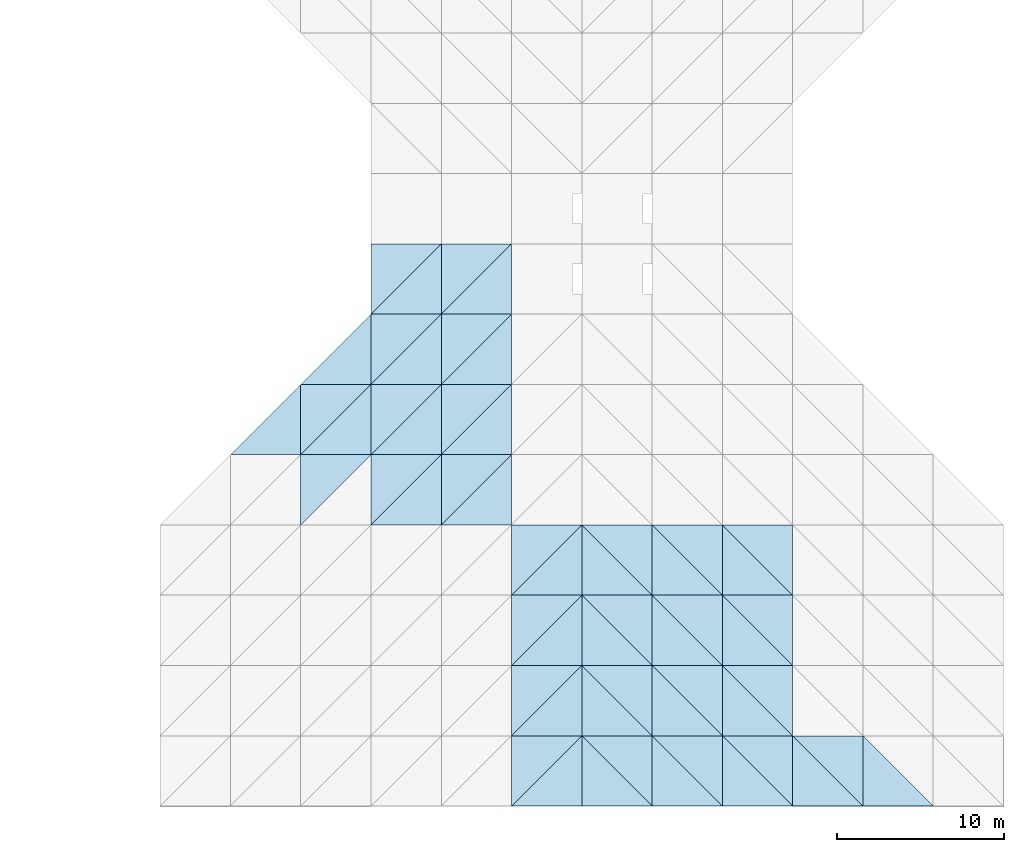
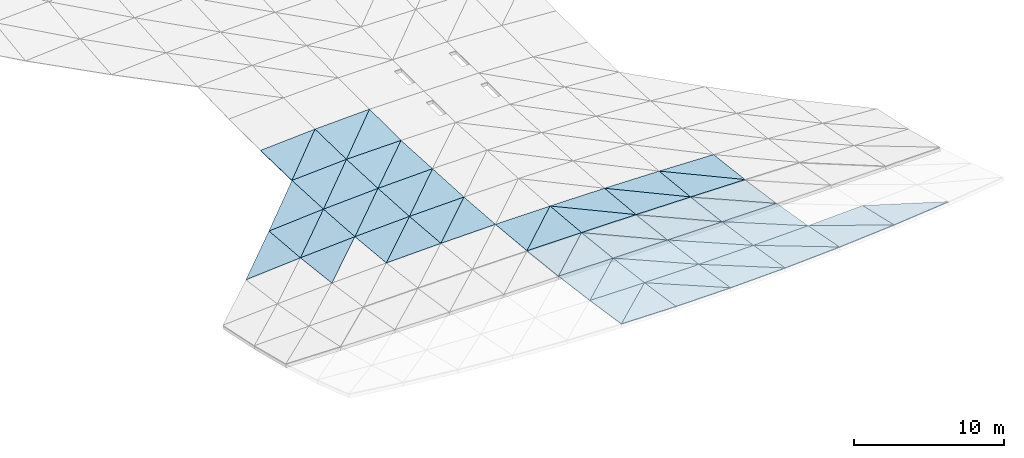
# One storey, part 45 of 64: 56 roofs.
"""IFC4 building model written with IfcOpenShell, lengths in metres."""

import ifcopenshell
import ifcopenshell.guid

model = None  # the IFC model being written
_history = None  # IfcOwnerHistory: only IFC2X3 demands one
_inside = {}  # id of a spatial element -> (the spatial element, [elements in it])
_under = {}  # id of a project, library or spatial element -> (it, [spatial elements below it])
_declared = {}  # id of a project -> (the project, [libraries it declares])
_typed = {}  # id of a type object -> (the type object, [elements of that type])
_made_of = {}  # id of a material, layer set ... -> (it, [elements and type objects made of it])


def new_model(schema):
    """Start an empty IFC model of exactly this schema.

    Asked for "IFC4X3", IfcOpenShell would pick the latest addendum, in which some entities
    have other attributes; the version numbers below select the first issue.
    IFC2X3 requires an IfcOwnerHistory on every rooted entity: one is made here for all.
    """
    global model, _history
    if schema == "IFC4X3":
        model = ifcopenshell.file(schema_version=(4, 3, 0, 0))
    else:
        model = ifcopenshell.file(schema=schema)
    _inside.clear()
    _under.clear()
    _declared.clear()
    _typed.clear()
    _made_of.clear()
    _history = None
    if model.schema == "IFC2X3":
        org = make("IfcOrganization", Name="unknown")
        user = make(
            "IfcPersonAndOrganization",
            ThePerson=make("IfcPerson", FamilyName="unknown"),
            TheOrganization=org,
        )
        app = make(
            "IfcApplication",
            ApplicationDeveloper=org,
            Version="unknown",
            ApplicationFullName="unknown",
            ApplicationIdentifier="unknown",
        )
        _history = make(
            "IfcOwnerHistory",
            OwningUser=user,
            OwningApplication=app,
            ChangeAction="ADDED",
            CreationDate=0,
        )
    return model


def make(cls, **values):
    """One entity of the class cls with the attributes given. An attribute that is None is left unset."""
    return model.create_entity(
        cls, **{name: value for name, value in values.items() if value is not None}
    )


def rooted(cls, **values):
    """An entity with a GlobalId (a new one), such as an element, a storey or a relation."""
    return make(cls, GlobalId=ifcopenshell.guid.new(), OwnerHistory=_history, **values)


def si_unit(unit_type, name, prefix=None):
    """IfcSIUnit, for example si_unit("LENGTHUNIT", "METRE", prefix="MILLI")."""
    return make("IfcSIUnit", UnitType=unit_type, Prefix=prefix, Name=name)


def assignment(units):
    """IfcUnitAssignment: the units of a project."""
    return None if units is None else make("IfcUnitAssignment", Units=units)


def point(xyz):
    """IfcCartesianPoint."""
    return None if xyz is None else make("IfcCartesianPoint", Coordinates=xyz)


def direction(xyz):
    """IfcDirection."""
    return None if xyz is None else make("IfcDirection", DirectionRatios=xyz)


def frame(location, z_axis=None, x_axis=None):
    """IfcAxis2Placement3D, a coordinate frame: its origin and axes. An axis left out is left unset."""
    return make(
        "IfcAxis2Placement3D",
        Location=point(location),
        Axis=direction(z_axis),
        RefDirection=direction(x_axis),
    )


def origin():
    """The frame at (0, 0, 0) with its axes left unset."""
    return frame((0.0, 0.0, 0.0))


def place(relative_to, where):
    """IfcLocalPlacement: puts the frame where relative to a parent placement (None: the world)."""
    return make(
        "IfcLocalPlacement", PlacementRelTo=relative_to, RelativePlacement=where
    )


def context(
    kind, dimensions, precision=None, world=None, true_north=None, identifier=None
):
    """IfcGeometricRepresentationContext, for example the 3D "Model" context."""
    return make(
        "IfcGeometricRepresentationContext",
        ContextIdentifier=identifier,
        ContextType=kind,
        CoordinateSpaceDimension=dimensions,
        Precision=precision,
        WorldCoordinateSystem=world,
        TrueNorth=true_north,
    )


def subcontext(parent, identifier, kind, view, scale=None):
    """IfcGeometricRepresentationSubContext, for example "Body" below "Model"."""
    return make(
        "IfcGeometricRepresentationSubContext",
        ContextIdentifier=identifier,
        ContextType=kind,
        ParentContext=parent,
        TargetScale=scale,
        TargetView=view,
    )


def project(units=None, contexts=None):
    """IfcProject with its units and contexts."""
    return rooted(
        "IfcProject",
        Name="project",
        RepresentationContexts=contexts,
        UnitsInContext=assignment(units),
    )


def spatial(cls, under=None, at=None, **own):
    """A site, building, storey or space (cls), placed at a placement, below another one or the project."""
    s = rooted(cls, ObjectPlacement=at, **own)
    if under is not None:
        _under.setdefault(under.id(), (under, []))[1].append(s)
    return s


def polyline(points):
    """IfcPolyline through the points."""
    return make("IfcPolyline", Points=[point(p) for p in points])


def outline(outer, holes=None, kind="AREA"):
    """IfcArbitraryClosedProfileDef: a profile drawn as a closed curve; with holes, ...WithVoids."""
    if holes is None:
        return make("IfcArbitraryClosedProfileDef", ProfileType=kind, OuterCurve=outer)
    return make(
        "IfcArbitraryProfileDefWithVoids",
        ProfileType=kind,
        OuterCurve=outer,
        InnerCurves=holes,
    )


def extrude(swept, where, along, depth):
    """IfcExtrudedAreaSolid: the profile swept, set in the frame where, extruded along a direction by depth."""
    return make(
        "IfcExtrudedAreaSolid",
        SweptArea=swept,
        Position=where,
        ExtrudedDirection=direction(along),
        Depth=depth,
    )


def shape(context_of_items, identifier, shape_type, items):
    """IfcShapeRepresentation: the items that make up one representation, for example the "Body"."""
    return make(
        "IfcShapeRepresentation",
        ContextOfItems=context_of_items,
        RepresentationIdentifier=identifier,
        RepresentationType=shape_type,
        Items=items,
    )


def material(Name=None, Category=None):
    """IfcMaterial."""
    return make("IfcMaterial", Name=Name, Category=Category)


def layer(
    of_material, thickness, ventilated=None, Name=None, Category=None, Priority=None
):
    """IfcMaterialLayer: one layer of a wall or slab, of a material (None: an air gap)."""
    return make(
        "IfcMaterialLayer",
        Material=of_material,
        LayerThickness=thickness,
        IsVentilated=ventilated,
        Name=Name,
        Category=Category,
        Priority=Priority,
    )


def layer_set(layers, Name=None):
    """IfcMaterialLayerSet."""
    return make("IfcMaterialLayerSet", MaterialLayers=layers, LayerSetName=Name)


def made_of(thing, what):
    """Note that an element or type object is made of a material, layer set ...; save() writes the relation."""
    if what is not None:
        _made_of.setdefault(what.id(), (what, []))[1].append(thing)
    return thing


def type_object(cls, material=None, **own):
    """A type object (cls), such as IfcWallType, which elements share."""
    return made_of(rooted(cls, **own), material)


def element(
    cls,
    number,
    at=None,
    inside=None,
    cuts=None,
    type_object=None,
    material=None,
    context=None,
    identifier="Body",
    shape_type=None,
    held_by="IfcProductDefinitionShape",
    body=None,
    shapes=None,
    **own,
):
    """One element of the class cls, such as IfcWall. Its Tag is "e" and its number.

    at: its placement. inside: the storey or other place that contains it. cuts: it is an
    opening in that element (IfcRelVoidsElement). A single representation is given by context,
    identifier, shape_type and body (its items); several are given by shapes. held_by: the class
    of the entity that holds the representations. save() writes the other relations.
    """
    e = rooted(cls, Tag="e%d" % number, ObjectPlacement=at, **own)
    if body is not None:
        shapes = [shape(context, identifier, shape_type, body)]
    if shapes is not None:
        e.Representation = make(held_by, Representations=shapes)
    if inside is not None:
        _inside.setdefault(inside.id(), (inside, []))[1].append(e)
    if cuts is not None:
        rooted(
            "IfcRelVoidsElement", RelatingBuildingElement=cuts, RelatedOpeningElement=e
        )
    if type_object is not None:
        _typed.setdefault(type_object.id(), (type_object, []))[1].append(e)
    return made_of(e, material)


def aggregate(whole, parts):
    """IfcRelAggregates: a whole, such as a stair, and the parts it consists of."""
    return rooted("IfcRelAggregates", RelatingObject=whole, RelatedObjects=parts)


def save(model, path):
    """Write the relations noted so far, then the file.

    IfcRelAggregates (storeys below a building ...), IfcRelContainedInSpatialStructure (elements
    in a storey), IfcRelDefinesByType, IfcRelAssociatesMaterial and IfcRelDeclares: one each for
    every whole, place, type object, material and project.
    """
    for whole, parts in _under.values():
        aggregate(whole, parts)
    for where, things in _inside.values():
        rooted(
            "IfcRelContainedInSpatialStructure",
            RelatedElements=things,
            RelatingStructure=where,
        )
    for kind, things in _typed.values():
        rooted("IfcRelDefinesByType", RelatedObjects=things, RelatingType=kind)
    for what, things in _made_of.values():
        rooted("IfcRelAssociatesMaterial", RelatedObjects=things, RelatingMaterial=what)
    for by, libraries in _declared.values():
        rooted("IfcRelDeclares", RelatingContext=by, RelatedDefinitions=libraries)
    model.write(path)


model = new_model("IFC4")

# Units and contexts
model_context = context("Model", 3, precision=1e-05, world=origin(), true_north=direction((0.0, 1.0)))
body_context = subcontext(model_context, "Body", "Model", "MODEL_VIEW")
ifc_project = project(units=[si_unit("LENGTHUNIT", "METRE"), si_unit("AREAUNIT", "SQUARE_METRE"), si_unit("VOLUMEUNIT", "CUBIC_METRE"), si_unit("PLANEANGLEUNIT", "RADIAN"), si_unit("MASSUNIT", "GRAM", prefix="KILO")], contexts=[model_context])

# Site, building, storey
site_placement = place(None, origin())
site = spatial("IfcSite", under=ifc_project, at=site_placement, CompositionType="ELEMENT")
building_placement = place(site_placement, origin())
building = spatial("IfcBuilding", under=site, at=building_placement, Name="Cumbredor Promenade Congress Hotel", CompositionType="ELEMENT")
storey_placement = place(building_placement, frame((0.0, 0.0, 18.47998046875)))
storey = spatial("IfcBuildingStorey", under=building, at=storey_placement, Name="L05", CompositionType="ELEMENT", Elevation=18.47998046875)

# Roofs
ifc_material = material(Name="Standing-seam zinc-aluminium roofing", Category="aluminium")
ifc_layer = layer(ifc_material, 0.050048828125, Name="Standing-seam zinc-aluminium roofing", Category="aluminium")
ifc_layer_set = layer_set([ifc_layer], Name="Standing-seam zinc-aluminium roofing")
roof_type = type_object("IfcRoofType", Name="Sweeping Pavilion Standing-Seam Roof Skin 50mm", PredefinedType="FREEFORM", material=ifc_layer_set)
roof_1_placement = place(storey_placement, frame((142.800048828125, 21.0, -0.15087890625), z_axis=(-0.076276964271, 0.086439527263, 0.993332790583), x_axis=(0.997064704654, 0.0, 0.076563533968)))
element("IfcRoof", 1, at=roof_1_placement, inside=storey, type_object=roof_type, Name="Grand Ballroom Pavilion Standing-Seam Roof Skin 2.6.1", PredefinedType="FREEFORM", context=body_context, shape_type="SweptSolid", body=[
    extrude(outline(polyline([(0.0, 0.0), (4.212315562141288, 0.0), (4.184333235395741, 4.215730231040353), (0.0, 0.0)])), origin(), (0.0, 0.0, -1.0), 0.050048828125),
])
roof_2_placement = place(storey_placement, frame((147.0, 16.800048828125, 0.658935546875), z_axis=(-0.05919707046, 0.115050976279, 0.991594160787), x_axis=(0.706546575075, 0.706546575075, -0.039797920784)))
element("IfcRoof", 2, at=roof_2_placement, inside=storey, type_object=roof_type, Name="Grand Ballroom Pavilion Standing-Seam Roof Skin 3.5.2", PredefinedType="FREEFORM", context=body_context, shape_type="SweptSolid", body=[
    extrude(outline(polyline([(0.0, 0.0), (5.944337316230575, 1.4224732503009818e-16), (2.986854829322584, 2.9926165696837965), (0.0, 0.0)])), origin(), (0.0, 0.0, -1.0), 0.050048828125),
])
roof_3_placement = place(storey_placement, frame((147.0, 21.0, 0.171630859375), z_axis=(-0.059434651655, 0.072803107869, 0.995573819296), x_axis=(0.998222770352, 0.0, 0.059592791092)))
element("IfcRoof", 3, at=roof_3_placement, inside=storey, type_object=roof_type, Name="Grand Ballroom Pavilion Standing-Seam Roof Skin 3.6.1", PredefinedType="FREEFORM", context=body_context, shape_type="SweptSolid", body=[
    extrude(outline(polyline([(0.0, 0.0), (4.207428738970333, -3.469446951953614e-18), (4.18912607022193, 4.211126099216835), (0.0, 0.0)])), origin(), (0.0, 0.0, -1.0), 0.050048828125),
])
roof_4_placement = place(storey_placement, frame((147.0, 21.0, 0.171630859375), z_axis=(-0.073118508929, 0.086460037809, 0.9935684906), x_axis=(0.707074909046, 0.707074909046, -0.009494524443)))
element("IfcRoof", 4, at=roof_4_placement, inside=storey, type_object=roof_type, Name="Grand Ballroom Pavilion Standing-Seam Roof Skin 3.6.2", PredefinedType="FREEFORM", context=body_context, shape_type="SweptSolid", body=[
    extrude(outline(polyline([(0.0, 0.0), (5.939895643504037, 7.025630077706069e-17), (2.973150137552249, 2.9889032522132064), (0.0, 0.0)])), origin(), (0.0, 0.0, -1.0), 0.050048828125),
])
roof_5_placement = place(storey_placement, frame((147.0, 25.199951171875, -0.19384765625), z_axis=(-0.073306475585, 0.048639367687, 0.996122669428), x_axis=(0.997303071851, 0.0, 0.073393343543)))
element("IfcRoof", 5, at=roof_5_placement, inside=storey, type_object=roof_type, Name="Grand Ballroom Pavilion Standing-Seam Roof Skin 3.7.1", PredefinedType="FREEFORM", context=body_context, shape_type="SweptSolid", body=[
    extrude(outline(polyline([(0.0, 0.0), (4.211308769037935, 1.734723475976807e-18), (4.196257399756737, 4.204928101617252), (0.0, 0.0)])), origin(), (0.0, 0.0, -1.0), 0.050048828125),
])
roof_6_placement = place(storey_placement, frame((151.199951171875, 16.800048828125, 0.83203125), z_axis=(-0.029354527893, 0.084068588759, 0.996027501667), x_axis=(0.999565994989, 0.0, 0.029458812966)))
element("IfcRoof", 6, at=roof_6_placement, inside=storey, type_object=roof_type, Name="Grand Ballroom Pavilion Standing-Seam Roof Skin 4.5.1", PredefinedType="FREEFORM", context=body_context, shape_type="SweptSolid", body=[
    extrude(outline(polyline([(0.0, 0.0), (4.201774763176752, -1.734723475976807e-18), (4.191331844127171, 4.214871943793126), (0.0, 0.0)])), origin(), (0.0, 0.0, -1.0), 0.050048828125),
])
roof_7_placement = place(storey_placement, frame((151.199951171875, 16.800048828125, 0.83203125), z_axis=(-0.042369504616, 0.096993217934, 0.994382793874), x_axis=(0.706573950598, 0.706573950598, -0.038813717568)))
element("IfcRoof", 7, at=roof_7_placement, inside=storey, type_object=roof_type, Name="Grand Ballroom Pavilion Standing-Seam Roof Skin 4.5.2", PredefinedType="FREEFORM", context=body_context, shape_type="SweptSolid", body=[
    extrude(outline(polyline([(0.0, 0.0), (5.944107008640484, 6.38378239159465e-16), (2.9834768286678366, 2.984339743319458), (0.0, 0.0)])), origin(), (0.0, 0.0, -1.0), 0.050048828125),
])
roof_8_placement = place(storey_placement, frame((151.199951171875, 21.0, 0.42236328125), z_axis=(-0.042485490965, 0.063061683724, 0.997104912787), x_axis=(0.999093477233, 0.0, 0.042570221404)))
element("IfcRoof", 8, at=roof_8_placement, inside=storey, type_object=roof_type, Name="Grand Ballroom Pavilion Standing-Seam Roof Skin 4.6.1", PredefinedType="FREEFORM", context=body_context, shape_type="SweptSolid", body=[
    extrude(outline(polyline([(0.0, 0.0), (4.203761977814741, 0.0), (4.192454262754322, 4.2083272950590835), (0.0, 0.0)])), origin(), (0.0, 0.0, -1.0), 0.050048828125),
])
roof_9_placement = place(storey_placement, frame((151.199951171875, 21.0, 0.42236328125), z_axis=(-0.052279466529, 0.072832302208, 0.995973048398), x_axis=(0.707031514293, 0.707031514293, -0.014590256791)))
element("IfcRoof", 9, at=roof_9_placement, inside=storey, type_object=roof_type, Name="Grand Ballroom Pavilion Standing-Seam Roof Skin 4.6.2", PredefinedType="FREEFORM", context=body_context, shape_type="SweptSolid", body=[
    extrude(outline(polyline([(0.0, 0.0), (5.940260210430701, 2.0383000842727483e-16), (2.9739789266173466, 2.9815042101637967), (0.0, 0.0)])), origin(), (0.0, 0.0, -1.0), 0.050048828125),
])
roof_10_placement = place(storey_placement, frame((151.199951171875, 25.199951171875, 0.115234375), z_axis=(-0.052372191237, 0.042106545778, 0.997739541357), x_axis=(0.998625195951, 0.0, 0.052418679994)))
element("IfcRoof", 10, at=roof_10_placement, inside=storey, type_object=roof_type, Name="Grand Ballroom Pavilion Standing-Seam Roof Skin 4.7.1", PredefinedType="FREEFORM", context=body_context, shape_type="SweptSolid", body=[
    extrude(outline(polyline([(0.0, 0.0), (4.2057332309510365, 0.0), (4.1964422246824995, 4.203679305214223), (0.0, 0.0)])), origin(), (0.0, 0.0, -1.0), 0.050048828125),
])
roof_11_placement = place(storey_placement, frame((151.199951171875, 25.199951171875, 0.115234375), z_axis=(-0.058944578235, 0.048685787332, 0.997073332714), x_axis=(0.707088068079, 0.707088068079, 0.007275160614)))
element("IfcRoof", 11, at=roof_11_placement, inside=storey, type_object=roof_type, Name="Grand Ballroom Pavilion Standing-Seam Roof Skin 4.7.2", PredefinedType="FREEFORM", context=body_context, shape_type="SweptSolid", body=[
    extrude(outline(polyline([(0.0, 0.0), (5.93978510101035, 8.066464163292153e-17), (2.9682433838473403, 2.978452299053015), (0.0, 0.0)])), origin(), (0.0, 0.0, -1.0), 0.050048828125),
])
roof_12_placement = place(storey_placement, frame((151.199951171875, 29.39990234375, -0.08984375), z_axis=(-0.059001546476, 0.021000313015, 0.998036975451), x_axis=(0.998257121983, 0.0, 0.05901456101)))
element("IfcRoof", 12, at=roof_12_placement, inside=storey, type_object=roof_type, Name="Grand Ballroom Pavilion Standing-Seam Roof Skin 4.8.1", PredefinedType="FREEFORM", context=body_context, shape_type="SweptSolid", body=[
    extrude(outline(polyline([(0.0, 0.0), (4.20728395459283, -8.673617379884035e-19), (4.2020683122379365, 4.201121789628544), (0.0, 0.0)])), origin(), (0.0, 0.0, -1.0), 0.050048828125),
])
roof_13_placement = place(storey_placement, frame((151.199951171875, 29.39990234375, -0.08984375), z_axis=(-0.06229125977, 0.024300298652, 0.997762143219), x_axis=(0.706830120334, 0.706871207942, 0.026912383237)))
element("IfcRoof", 13, at=roof_13_placement, inside=storey, type_object=roof_type, Name="Grand Ballroom Pavilion Standing-Seam Roof Skin 4.8.2", PredefinedType="FREEFORM", context=body_context, shape_type="SweptSolid", body=[
    extrude(outline(polyline([(0.0, 0.0), (5.941952742323514, 7.979727989493313e-17), (2.966244133998192, 2.9754832635573174), (0.0, 0.0)])), origin(), (0.0, 0.0, -1.0), 0.050048828125),
])
roof_14_placement = place(storey_placement, frame((155.39990234375, 16.800048828125, 0.955810546875), z_axis=(-0.017616175654, 0.076205978844, 0.996936466955), x_axis=(0.999843916636, 0.0, 0.017667551189)))
element("IfcRoof", 14, at=roof_14_placement, inside=storey, type_object=roof_type, Name="Grand Ballroom Pavilion Standing-Seam Roof Skin 5.5.1", PredefinedType="FREEFORM", context=body_context, shape_type="SweptSolid", body=[
    extrude(outline(polyline([(0.0, 0.0), (4.200850995453009, 0.0), (4.195178917861777, 4.2121998427818825), (0.0, 0.0)])), origin(), (0.0, 0.0, -1.0), 0.050048828125),
])
roof_15_placement = place(storey_placement, frame((155.39990234375, 16.800048828125, 0.955810546875), z_axis=(-0.025534423195, 0.084077409713, 0.996132010533), x_axis=(0.706517592658, 0.706476525605, -0.041518791338)))
element("IfcRoof", 15, at=roof_15_placement, inside=storey, type_object=roof_type, Name="Grand Ballroom Pavilion Standing-Seam Roof Skin 5.5.2", PredefinedType="FREEFORM", context=body_context, shape_type="SweptSolid", body=[
    extrude(outline(polyline([(0.0, 0.0), (5.944926716823651, -3.0184188481996443e-16), (2.981884998778575, 2.978861596515021), (0.0, 0.0)])), origin(), (0.0, 0.0, -1.0), 0.050048828125),
])
roof_16_placement = place(storey_placement, frame((155.39990234375, 21.0, 0.601318359375), z_axis=(-0.025583111763, 0.057260768952, 0.998031416706), x_axis=(0.999671621772, 0.0, 0.02562515608)))
element("IfcRoof", 16, at=roof_16_placement, inside=storey, type_object=roof_type, Name="Grand Ballroom Pavilion Standing-Seam Roof Skin 5.6.1", PredefinedType="FREEFORM", context=body_context, shape_type="SweptSolid", body=[
    extrude(outline(polyline([(0.0, 0.0), (4.2015750182601215, 0.0), (4.195400206480087, 4.206853540953127), (0.0, 0.0)])), origin(), (0.0, 0.0, -1.0), 0.050048828125),
])
roof_17_placement = place(storey_placement, frame((155.39990234375, 21.0, 0.601318359375), z_axis=(-0.031425953156, 0.06308749919, 0.997513096112), x_axis=(0.70694932997, 0.706908237821, -0.022436313309)))
element("IfcRoof", 17, at=roof_17_placement, inside=storey, type_object=roof_type, Name="Grand Ballroom Pavilion Standing-Seam Roof Skin 5.6.2", PredefinedType="FREEFORM", context=body_context, shape_type="SweptSolid", body=[
    extrude(outline(polyline([(0.0, 0.0), (5.941296121854476, -5.568462357885551e-16), (2.974939727568531, 2.9765550732505632), (0.0, 0.0)])), origin(), (0.0, 0.0, -1.0), 0.050048828125),
])
roof_18_placement = place(storey_placement, frame((155.39990234375, 25.199951171875, 0.335693359375), z_axis=(-0.031437135374, 0.057193389883, 0.997868038707), x_axis=(0.999504108605, 0.0, 0.031488678613)))
element("IfcRoof", 18, at=roof_18_placement, inside=storey, type_object=roof_type, Name="Grand Ballroom Pavilion Standing-Seam Roof Skin 5.7.1", PredefinedType="FREEFORM", context=body_context, shape_type="SweptSolid", body=[
    extrude(outline(polyline([(0.0, 0.0), (4.202279186586105, 1.734723475976807e-18), (4.194699148228495, 4.206837266449077), (0.0, 0.0)])), origin(), (0.0, 0.0, -1.0), 0.050048828125),
])
roof_19_placement = place(storey_placement, frame((155.39990234375, 25.199951171875, 0.335693359375), z_axis=(-0.016374763877, 0.042158757524, 0.998976729595), x_axis=(0.707009609091, 0.706968513438, -0.0182464698)))
element("IfcRoof", 19, at=roof_19_placement, inside=storey, type_object=roof_type, Name="Grand Ballroom Pavilion Standing-Seam Roof Skin 5.7.2", PredefinedType="FREEFORM", context=body_context, shape_type="SweptSolid", body=[
    extrude(outline(polyline([(0.0, 0.0), (5.940789571305619, -1.240327285323417e-16), (2.972467351990176, 2.9724474537384737), (0.0, 0.0)])), origin(), (0.0, 0.0, -1.0), 0.050048828125),
])
roof_20_placement = place(storey_placement, frame((155.39990234375, 29.39990234375, 0.158447265625), z_axis=(-0.016389335236, 0.0, 0.999865685825), x_axis=(0.999865685825, 0.0, 0.016389335236)))
element("IfcRoof", 20, at=roof_20_placement, inside=storey, type_object=roof_type, Name="Grand Ballroom Pavilion Standing-Seam Roof Skin 5.8.1", PredefinedType="FREEFORM", context=body_context, shape_type="SweptSolid", body=[
    extrude(outline(polyline([(0.0, 0.0), (4.200759534050729, 0.0), (4.200759534050729, 4.200195312500001), (0.0, 0.0)])), origin(), (0.0, 0.0, -1.0), 0.050048828125),
])
roof_21_placement = place(storey_placement, frame((155.39990234375, 29.39990234375, 0.158447265625), z_axis=(-0.037398689542, 0.021022244742, 0.999079277759), x_axis=(0.707059289171, 0.707059289171, 0.011589788395)))
element("IfcRoof", 21, at=roof_21_placement, inside=storey, type_object=roof_type, Name="Grand Ballroom Pavilion Standing-Seam Roof Skin 5.8.2", PredefinedType="FREEFORM", context=body_context, shape_type="SweptSolid", body=[
    extrude(outline(polyline([(0.0, 0.0), (5.940372153835572, -4.766152750246277e-16), (2.9687628192120625, 2.9725239809765984), (0.0, 0.0)])), origin(), (0.0, 0.0, -1.0), 0.050048828125),
])
roof_22_placement = place(storey_placement, frame((159.60009765625, 0.0, 3.1171875), z_axis=(0.01109796617, 0.146056135088, 0.989214051937), x_axis=(0.999937073258, 0.0, -0.011218267461)))
element("IfcRoof", 22, at=roof_22_placement, inside=storey, type_object=roof_type, Name="Grand Ballroom Pavilion Standing-Seam Roof Skin 6.1.1", PredefinedType="FREEFORM", context=body_context, shape_type="SweptSolid", body=[
    extrude(outline(polyline([(0.0, 0.0), (4.200215477751995, -8.673617379884035e-19), (4.207172118218791, 4.245478392068498), (0.0, 0.0)])), origin(), (0.0, 0.0, -1.0), 0.050048828125),
])
roof_23_placement = place(storey_placement, frame((159.60009765625, 0.0, 3.1171875), z_axis=(0.005918458152, 0.151121795525, 0.98849743286), x_axis=(0.70268691564, 0.70268691564, -0.111634211501)))
element("IfcRoof", 23, at=roof_23_placement, inside=storey, type_object=roof_type, Name="Grand Ballroom Pavilion Standing-Seam Roof Skin 6.1.2", PredefinedType="FREEFORM", context=body_context, shape_type="SweptSolid", body=[
    extrude(outline(polyline([(0.0, 0.0), (5.976987870979672, 3.191891195797325e-16), (3.0229299282219917, 2.9855927154655357), (0.0, 0.0)])), origin(), (0.0, 0.0, -1.0), 0.050048828125),
])
roof_24_placement = place(storey_placement, frame((159.60009765625, 4.199951171875, 2.47509765625), z_axis=(0.005937895527, 0.128097124871, 0.991743852008), x_axis=(0.999982076435, 0.0, -0.005987220477)))
element("IfcRoof", 24, at=roof_24_placement, inside=storey, type_object=roof_type, Name="Grand Ballroom Pavilion Standing-Seam Roof Skin 6.2.1", PredefinedType="FREEFORM", context=body_context, shape_type="SweptSolid", body=[
    extrude(outline(polyline([(0.0, 0.0), (4.200026451322731, 0.0), (4.203274401493823, 4.23483935420567), (0.0, 0.0)])), origin(), (0.0, 0.0, -1.0), 0.050048828125),
])
roof_25_placement = place(storey_placement, frame((159.60009765625, 4.199951171875, 2.47509765625), z_axis=(0.001325163288, 0.132631560406, 0.991164523743), x_axis=(0.703899772334, 0.703899772334, -0.095132649577)))
element("IfcRoof", 25, at=roof_25_placement, inside=storey, type_object=roof_type, Name="Grand Ballroom Pavilion Standing-Seam Roof Skin 6.2.2", PredefinedType="FREEFORM", context=body_context, shape_type="SweptSolid", body=[
    extrude(outline(polyline([(0.0, 0.0), (5.966689203417784, -2.5673907444456745e-16), (3.0098103375959173, 2.98269823311834), (0.0, 0.0)])), origin(), (0.0, 0.0, -1.0), 0.050048828125),
])
roof_26_placement = place(storey_placement, frame((159.60009765625, 8.39990234375, 1.9130859375), z_axis=(0.001328853117, 0.110057306226, 0.993924355017), x_axis=(0.999999106249, 0.0, -0.001336974914)))
element("IfcRoof", 26, at=roof_26_placement, inside=storey, type_object=roof_type, Name="Grand Ballroom Pavilion Standing-Seam Roof Skin 6.3.1", PredefinedType="FREEFORM", context=body_context, shape_type="SweptSolid", body=[
    extrude(outline(polyline([(0.0, 0.0), (4.199954925590426, 0.0), (4.200576736432947, 4.225866422700114), (0.0, 0.0)])), origin(), (0.0, 0.0, -1.0), 0.050048828125),
])
roof_27_placement = place(storey_placement, frame((159.60009765625, 8.39990234375, 1.9130859375), z_axis=(-0.002598780098, 0.113935446613, 0.993484755971), x_axis=(0.704876428447, 0.704917402488, -0.078997951174)))
element("IfcRoof", 27, at=roof_27_placement, inside=storey, type_object=roof_type, Name="Grand Ballroom Pavilion Standing-Seam Roof Skin 6.3.2", PredefinedType="FREEFORM", context=body_context, shape_type="SweptSolid", body=[
    extrude(outline(polyline([(0.0, 0.0), (5.9584219337980695, -4.2327252813834093e-16), (2.9988432495284263, 2.9800343214729295), (0.0, 0.0)])), origin(), (0.0, 0.0, -1.0), 0.050048828125),
])
roof_28_placement = place(storey_placement, frame((159.60009765625, 12.60009765625, 1.431396484375), z_axis=(-0.002604753796, 0.091860983861, 0.995768434377), x_axis=(0.999996578753, 0.0, 0.002615813872)))
element("IfcRoof", 28, at=roof_28_placement, inside=storey, type_object=roof_type, Name="Grand Ballroom Pavilion Standing-Seam Roof Skin 6.4.1", PredefinedType="FREEFORM", context=body_context, shape_type="SweptSolid", body=[
    extrude(outline(polyline([(0.0, 0.0), (4.199965540994337, 0.0), (4.198952040844136, 4.217784635272283), (0.0, 0.0)])), origin(), (0.0, 0.0, -1.0), 0.050048828125),
])
roof_29_placement = place(storey_placement, frame((159.60009765625, 12.60009765625, 1.431396484375), z_axis=(-0.005902205085, 0.095129658429, 0.995447392916), x_axis=(0.705690728944, 0.705690728944, -0.063254961578)))
element("IfcRoof", 29, at=roof_29_placement, inside=storey, type_object=roof_type, Name="Grand Ballroom Pavilion Standing-Seam Roof Skin 6.4.2", PredefinedType="FREEFORM", context=body_context, shape_type="SweptSolid", body=[
    extrude(outline(polyline([(0.0, 0.0), (5.95154647724842, -2.255140518769849e-16), (2.989255070034826, 2.9774216348389313), (0.0, 0.0)])), origin(), (0.0, 0.0, -1.0), 0.050048828125),
])
roof_30_placement = place(storey_placement, frame((163.800048828125, 0.0, 3.070068359375), z_axis=(-0.01109796617, 0.146056135088, 0.989214051937), x_axis=(0.999937073258, 0.0, 0.011218267461)))
element("IfcRoof", 30, at=roof_30_placement, inside=storey, type_object=roof_type, Name="Grand Ballroom Pavilion Standing-Seam Roof Skin 7.1.1", PredefinedType="FREEFORM", context=body_context, shape_type="SweptSolid", body=[
    extrude(outline(polyline([(0.0, 0.0), (4.200215477751995, 8.673617379884035e-19), (-0.006956640466795897, 4.245478392068497), (0.0, 0.0)])), origin(), (0.0, 0.0, -1.0), 0.050048828125),
])
roof_31_placement = place(storey_placement, frame((168.0, 0.0, 3.1171875), z_axis=(-0.005918458152, 0.151121795525, 0.98849743286), x_axis=(0.0, 0.988514745931, -0.151124442353)))
element("IfcRoof", 31, at=roof_31_placement, inside=storey, type_object=roof_type, Name="Grand Ballroom Pavilion Standing-Seam Roof Skin 7.1.2", PredefinedType="FREEFORM", context=body_context, shape_type="SweptSolid", body=[
    extrude(outline(polyline([(0.0, 0.0), (4.248749135166854, -4.336808689942018e-19), (4.252549383595165, 4.200024732060812), (0.0, 0.0)])), origin(), (0.0, 0.0, -1.0), 0.050048828125),
])
roof_32_placement = place(storey_placement, frame((163.800048828125, 4.199951171875, 2.449951171875), z_axis=(-0.005937895527, 0.128097124871, 0.991743852008), x_axis=(0.999982076435, 0.0, 0.005987220477)))
element("IfcRoof", 32, at=roof_32_placement, inside=storey, type_object=roof_type, Name="Grand Ballroom Pavilion Standing-Seam Roof Skin 7.2.1", PredefinedType="FREEFORM", context=body_context, shape_type="SweptSolid", body=[
    extrude(outline(polyline([(0.0, 0.0), (4.200026451322731, 0.0), (-0.0032479501710919916, 4.23483935420567), (0.0, 0.0)])), origin(), (0.0, 0.0, -1.0), 0.050048828125),
])
roof_33_placement = place(storey_placement, frame((168.0, 4.199951171875, 2.47509765625), z_axis=(-0.001325163288, 0.132631560406, 0.991164523743), x_axis=(0.0, 0.991165394015, -0.13263167686)))
element("IfcRoof", 33, at=roof_33_placement, inside=storey, type_object=roof_type, Name="Grand Ballroom Pavilion Standing-Seam Roof Skin 7.2.2", PredefinedType="FREEFORM", context=body_context, shape_type="SweptSolid", body=[
    extrude(outline(polyline([(0.0, 0.0), (4.237386814788865, -1.0842021724855044e-19), (4.238131572739983, 4.199954859558238), (0.0, 0.0)])), origin(), (0.0, 0.0, -1.0), 0.050048828125),
])
roof_34_placement = place(storey_placement, frame((163.800048828125, 8.39990234375, 1.907470703125), z_axis=(-0.001328853117, 0.110057306226, 0.993924355017), x_axis=(0.999999106249, 0.0, 0.001336974914)))
element("IfcRoof", 34, at=roof_34_placement, inside=storey, type_object=roof_type, Name="Grand Ballroom Pavilion Standing-Seam Roof Skin 7.3.1", PredefinedType="FREEFORM", context=body_context, shape_type="SweptSolid", body=[
    extrude(outline(polyline([(0.0, 0.0), (4.199954925590426, 0.0), (-0.0006218108425215082, 4.225866422700114), (0.0, 0.0)])), origin(), (0.0, 0.0, -1.0), 0.050048828125),
])
roof_35_placement = place(storey_placement, frame((168.0, 8.39990234375, 1.9130859375), z_axis=(0.002598780098, 0.113935446613, 0.993484755971), x_axis=(0.0, 0.993488110816, -0.113935831356)))
element("IfcRoof", 35, at=roof_35_placement, inside=storey, type_object=roof_type, Name="Grand Ballroom Pavilion Standing-Seam Roof Skin 7.3.2", PredefinedType="FREEFORM", context=body_context, shape_type="SweptSolid", body=[
    extrude(outline(polyline([(0.0, 0.0), (4.227725794372056, 2.168404344971009e-19), (4.226474057943589, 4.199965354463746), (0.0, 0.0)])), origin(), (0.0, 0.0, -1.0), 0.050048828125),
])
roof_36_placement = place(storey_placement, frame((163.800048828125, 12.60009765625, 1.4423828125), z_axis=(0.002604753796, 0.091860983861, 0.995768434377), x_axis=(0.999996578753, 0.0, -0.002615813872)))
element("IfcRoof", 36, at=roof_36_placement, inside=storey, type_object=roof_type, Name="Grand Ballroom Pavilion Standing-Seam Roof Skin 7.4.1", PredefinedType="FREEFORM", context=body_context, shape_type="SweptSolid", body=[
    extrude(outline(polyline([(0.0, 0.0), (4.199965540994337, 0.0), (0.001013500150200461, 4.217784635272283), (0.0, 0.0)])), origin(), (0.0, 0.0, -1.0), 0.050048828125),
])
roof_37_placement = place(storey_placement, frame((168.0, 12.60009765625, 1.431396484375), z_axis=(0.005902205085, 0.095129658429, 0.995447392916), x_axis=(0.0, 0.995464732084, -0.095131315442)))
element("IfcRoof", 37, at=roof_37_placement, inside=storey, type_object=roof_type, Name="Grand Ballroom Pavilion Standing-Seam Roof Skin 7.4.2", PredefinedType="FREEFORM", context=body_context, shape_type="SweptSolid", body=[
    extrude(outline(polyline([(0.0, 0.0), (4.219085856596882, 4.336808689942018e-19), (4.21671686387836, 4.2000243285881025), (0.0, 0.0)])), origin(), (0.0, 0.0, -1.0), 0.050048828125),
])
roof_38_placement = place(storey_placement, frame((168.0, 0.0, 3.1171875), z_axis=(-0.033366695852, 0.151040292754, 0.987964317965), x_axis=(0.99943017361, 0.0, 0.033753934248)))
element("IfcRoof", 38, at=roof_38_placement, inside=storey, type_object=roof_type, Name="Grand Ballroom Pavilion Standing-Seam Roof Skin 8.1.1", PredefinedType="FREEFORM", context=body_context, shape_type="SweptSolid", body=[
    extrude(outline(polyline([(0.0, 0.0), (4.202345779398598, 3.469446951953614e-18), (-0.021673058367218504, 4.248693857189772), (0.0, 0.0)])), origin(), (0.0, 0.0, -1.0), 0.050048828125),
])
roof_39_placement = place(storey_placement, frame((172.199951171875, 0.0, 3.259033203125), z_axis=(-0.017651502768, 0.166371144595, 0.985905201678), x_axis=(0.0, 0.986058829557, -0.166397069244)))
element("IfcRoof", 39, at=roof_39_placement, inside=storey, type_object=roof_type, Name="Grand Ballroom Pavilion Standing-Seam Roof Skin 8.1.2", PredefinedType="FREEFORM", context=body_context, shape_type="SweptSolid", body=[
    extrude(outline(polyline([(0.0, 0.0), (4.259331234590252, 1.734723475976807e-18), (4.271843514211134, 4.200605625860971), (0.0, 0.0)])), origin(), (0.0, 0.0, -1.0), 0.050048828125),
])
roof_40_placement = place(storey_placement, frame((168.0, 4.199951171875, 2.47509765625), z_axis=(-0.017742887004, 0.132610798325, 0.991009367326), x_axis=(0.999839764528, 0.0, 0.017900985146)))
element("IfcRoof", 40, at=roof_40_placement, inside=storey, type_object=roof_type, Name="Grand Ballroom Pavilion Standing-Seam Roof Skin 8.2.1", PredefinedType="FREEFORM", context=body_context, shape_type="SweptSolid", body=[
    extrude(outline(polyline([(0.0, 0.0), (4.200624260887441, 1.734723475976807e-18), (-0.010060563429479457, 4.237374871687658), (0.0, 0.0)])), origin(), (0.0, 0.0, -1.0), 0.050048828125),
])
roof_41_placement = place(storey_placement, frame((172.199951171875, 4.199951171875, 2.55029296875), z_axis=(-0.004025384366, 0.146063947006, 0.989266960767), x_axis=(0.0, 0.989274975767, -0.14606513041)))
element("IfcRoof", 41, at=roof_41_placement, inside=storey, type_object=roof_type, Name="Grand Ballroom Pavilion Standing-Seam Roof Skin 8.2.2", PredefinedType="FREEFORM", context=body_context, shape_type="SweptSolid", body=[
    extrude(outline(polyline([(0.0, 0.0), (4.245484091639857, 0.0), (4.247980321895891, 4.199985199703458), (0.0, 0.0)])), origin(), (0.0, 0.0, -1.0), 0.050048828125),
])
roof_42_placement = place(storey_placement, frame((168.0, 8.39990234375, 1.9130859375), z_axis=(-0.004042527438, 0.11393490038, 0.993479992978), x_axis=(0.999991721487, 0.0, 0.004069024037)))
element("IfcRoof", 42, at=roof_42_placement, inside=storey, type_object=roof_type, Name="Grand Ballroom Pavilion Standing-Seam Roof Skin 8.3.1", PredefinedType="FREEFORM", context=body_context, shape_type="SweptSolid", body=[
    extrude(outline(polyline([(0.0, 0.0), (4.1999859415114225, -2.168404344971009e-19), (-0.001960005963012058, 4.227725340035166), (0.0, 0.0)])), origin(), (0.0, 0.0, -1.0), 0.050048828125),
])
roof_43_placement = place(storey_placement, frame((172.199951171875, 8.39990234375, 1.93017578125), z_axis=(0.007727484194, 0.125535486958, 0.992059034283), x_axis=(0.0, 0.992088655522, -0.12553923524)))
element("IfcRoof", 43, at=roof_43_placement, inside=storey, type_object=roof_type, Name="Grand Ballroom Pavilion Standing-Seam Roof Skin 8.3.2", PredefinedType="FREEFORM", context=body_context, shape_type="SweptSolid", body=[
    extrude(outline(polyline([(0.0, 0.0), (4.233689488456338, 0.0), (4.2295824919909615, 4.200076575458572), (0.0, 0.0)])), origin(), (0.0, 0.0, -1.0), 0.050048828125),
])
roof_44_placement = place(storey_placement, frame((168.0, 12.60009765625, 1.431396484375), z_axis=(0.007753779236, 0.0951284557, 0.99543480742), x_axis=(0.999969664479, 0.0, -0.007789102775)))
element("IfcRoof", 44, at=roof_44_placement, inside=storey, type_object=roof_type, Name="Grand Ballroom Pavilion Standing-Seam Roof Skin 8.4.1", PredefinedType="FREEFORM", context=body_context, shape_type="SweptSolid", body=[
    extrude(outline(polyline([(0.0, 0.0), (4.200078583447668, 0.0), (0.003126290273993169, 4.21908469832557), (0.0, 0.0)])), origin(), (0.0, 0.0, -1.0), 0.050048828125),
])
roof_45_placement = place(storey_placement, frame((172.199951171875, 12.60009765625, 1.398681640625), z_axis=(0.017571191108, 0.104849146938, 0.994332896785), x_axis=(0.0, 0.994486430867, -0.104865336604)))
element("IfcRoof", 45, at=roof_45_placement, inside=storey, type_object=roof_type, Name="Grand Ballroom Pavilion Standing-Seam Roof Skin 8.4.2", PredefinedType="FREEFORM", context=body_context, shape_type="SweptSolid", body=[
    extrude(outline(polyline([(0.0, 0.0), (4.2232362770526475, -8.673617379884035e-19), (4.215453302851594, 4.20059968269988), (0.0, 0.0)])), origin(), (0.0, 0.0, -1.0), 0.050048828125),
])
roof_46_placement = place(storey_placement, frame((172.199951171875, 0.0, 3.259033203125), z_axis=(-0.055342530466, 0.166142053717, 0.984547623179), x_axis=(0.998423888695, 0.0, 0.056122530975)))
element("IfcRoof", 46, at=roof_46_placement, inside=storey, type_object=roof_type, Name="Grand Ballroom Pavilion Standing-Seam Roof Skin 9.1.1", PredefinedType="FREEFORM", context=body_context, shape_type="SweptSolid", body=[
    extrude(outline(polyline([(0.0, 0.0), (4.206581212078588, -6.938893903907228e-18), (-0.039776295757153066, 4.25914550259227), (0.0, 0.0)])), origin(), (0.0, 0.0, -1.0), 0.050048828125),
])
roof_47_placement = place(storey_placement, frame((176.39990234375, 0.0, 3.4951171875), z_axis=(-0.0292557931, 0.191445803973, 0.981067073503), x_axis=(0.0, 0.981487191562, -0.191527785972)))
element("IfcRoof", 47, at=roof_47_placement, inside=storey, type_object=roof_type, Name="Grand Ballroom Pavilion Standing-Seam Roof Skin 9.1.2", PredefinedType="FREEFORM", context=body_context, shape_type="SweptSolid", body=[
    extrude(outline(polyline([(0.0, 0.0), (4.279170638172024, 3.469446951953614e-18), (4.303158371131882, 4.201749698585403), (0.0, 0.0)])), origin(), (0.0, 0.0, -1.0), 0.050048828125),
])
roof_48_placement = place(storey_placement, frame((172.199951171875, 4.199951171875, 2.55029296875), z_axis=(-0.029487727326, 0.146001612881, 0.988844782043), x_axis=(0.999555668784, 0.0, 0.02980713004)))
element("IfcRoof", 48, at=roof_48_placement, inside=storey, type_object=roof_type, Name="Grand Ballroom Pavilion Standing-Seam Roof Skin 9.2.1", PredefinedType="FREEFORM", context=body_context, shape_type="SweptSolid", body=[
    extrude(outline(polyline([(0.0, 0.0), (4.201818170851172, 0.0), (-0.01848391364814735, 4.2454438539808), (0.0, 0.0)])), origin(), (0.0, 0.0, -1.0), 0.050048828125),
])
roof_49_placement = place(storey_placement, frame((176.39990234375, 4.199951171875, 2.675537109375), z_axis=(-0.006704051065, 0.168231572029, 0.985724704911), x_axis=(0.0, 0.985746857011, -0.168235352682)))
element("IfcRoof", 49, at=roof_49_placement, inside=storey, type_object=roof_type, Name="Grand Ballroom Pavilion Standing-Seam Roof Skin 9.2.2", PredefinedType="FREEFORM", context=body_context, shape_type="SweptSolid", body=[
    extrude(outline(polyline([(0.0, 0.0), (4.260679242344342, 0.0), (4.265484793189989, 4.200045556990731), (0.0, 0.0)])), origin(), (0.0, 0.0, -1.0), 0.050048828125),
])
roof_50_placement = place(storey_placement, frame((172.199951171875, 8.39990234375, 1.93017578125), z_axis=(-0.006747179594, 0.125536377656, 0.992066073128), x_axis=(0.999976873054, 0.0, 0.006800982047)))
element("IfcRoof", 50, at=roof_50_placement, inside=storey, type_object=roof_type, Name="Grand Ballroom Pavilion Standing-Seam Roof Skin 9.3.1", PredefinedType="FREEFORM", context=body_context, shape_type="SweptSolid", body=[
    extrude(outline(polyline([(0.0, 0.0), (4.200048306164646, 0.0), (-0.0036146821082537867, 4.233687945366184), (0.0, 0.0)])), origin(), (0.0, 0.0, -1.0), 0.050048828125),
])
roof_51_placement = place(storey_placement, frame((176.39990234375, 8.39990234375, 1.958740234375), z_axis=(0.012825256023, 0.14475019298, 0.989385109267), x_axis=(0.0, 0.989466489896, -0.144762099225)))
element("IfcRoof", 51, at=roof_51_placement, inside=storey, type_object=roof_type, Name="Grand Ballroom Pavilion Standing-Seam Roof Skin 9.3.2", PredefinedType="FREEFORM", context=body_context, shape_type="SweptSolid", body=[
    extrude(outline(polyline([(0.0, 0.0), (4.244909105451071, 8.673617379884035e-19), (4.237027770459077, 4.200296633581129), (0.0, 0.0)])), origin(), (0.0, 0.0, -1.0), 0.050048828125),
])
roof_52_placement = place(storey_placement, frame((172.199951171875, 12.60009765625, 1.398681640625), z_axis=(0.012890312655, 0.104856624021, 0.994403805422), x_axis=(0.999915992778, 0.0, -0.012961766342)))
element("IfcRoof", 52, at=roof_52_placement, inside=storey, type_object=roof_type, Name="Grand Ballroom Pavilion Standing-Seam Roof Skin 9.4.1", PredefinedType="FREEFORM", context=body_context, shape_type="SweptSolid", body=[
    extrude(outline(polyline([(0.0, 0.0), (4.20030402774778, 0.0), (0.005740391637021378, 4.2232323757659085), (0.0, 0.0)])), origin(), (0.0, 0.0, -1.0), 0.050048828125),
])
roof_53_placement = place(storey_placement, frame((176.39990234375, 12.60009765625, 1.34423828125), z_axis=(0.029242340256, 0.121006765005, 0.992220866722), x_axis=(0.0, 0.992645370198, -0.121058535527)))
element("IfcRoof", 53, at=roof_53_placement, inside=storey, type_object=roof_type, Name="Grand Ballroom Pavilion Standing-Seam Roof Skin 9.4.2", PredefinedType="FREEFORM", context=body_context, shape_type="SweptSolid", body=[
    extrude(outline(polyline([(0.0, 0.0), (4.23106911891027, -1.734723475976807e-18), (4.216084578501985, 4.201748043852441), (0.0, 0.0)])), origin(), (0.0, 0.0, -1.0), 0.050048828125),
])
roof_54_placement = place(storey_placement, frame((176.39990234375, 0.0, 3.4951171875), z_axis=(-0.077016188966, 0.190958918263, 0.978572019921), x_axis=(0.996917261958, 0.0, 0.078460007713)))
element("IfcRoof", 54, at=roof_54_placement, inside=storey, type_object=roof_type, Name="Grand Ballroom Pavilion Standing-Seam Roof Skin 10.1.1", PredefinedType="FREEFORM", context=body_context, shape_type="SweptSolid", body=[
    extrude(outline(polyline([(0.0, 0.0), (4.213183453410024, 1.3877787807814457e-17), (-0.06430425925094632, 4.2786874521090885), (0.0, 0.0)])), origin(), (0.0, 0.0, -1.0), 0.050048828125),
])
roof_55_placement = place(storey_placement, frame((180.60009765625, 0.0, 3.82568359375), z_axis=(-0.040734177144, 0.225804932058, 0.973320532749), x_axis=(0.0, 0.974129041372, -0.225992501547)))
element("IfcRoof", 55, at=roof_55_placement, inside=storey, type_object=roof_type, Name="Grand Ballroom Pavilion Standing-Seam Roof Skin 10.1.2", PredefinedType="FREEFORM", context=body_context, shape_type="SweptSolid", body=[
    extrude(outline(polyline([(0.0, 0.0), (4.311493645605063, 0.0), (4.351218890017651, 4.203684290709151), (0.0, 0.0)])), origin(), (0.0, 0.0, -1.0), 0.050048828125),
])
roof_56_placement = place(storey_placement, frame((180.60009765625, 0.0, 3.82568359375), z_axis=(-0.098109442037, 0.224902230425, 0.969429483837), x_axis=(0.994917953198, 0.0, 0.1006889587)))
element("IfcRoof", 56, at=roof_56_placement, inside=storey, type_object=roof_type, Name="Grand Ballroom Pavilion Standing-Seam Roof Skin 11.1.1", PredefinedType="FREEFORM", context=body_context, shape_type="SweptSolid", body=[
    extrude(outline(polyline([(0.0, 0.0), (4.2214045473544255, 0.0), (-0.09810782084280131, 4.310377281814471), (0.0, 0.0)])), origin(), (0.0, 0.0, -1.0), 0.050048828125),
])

save(model, "model.ifc")
